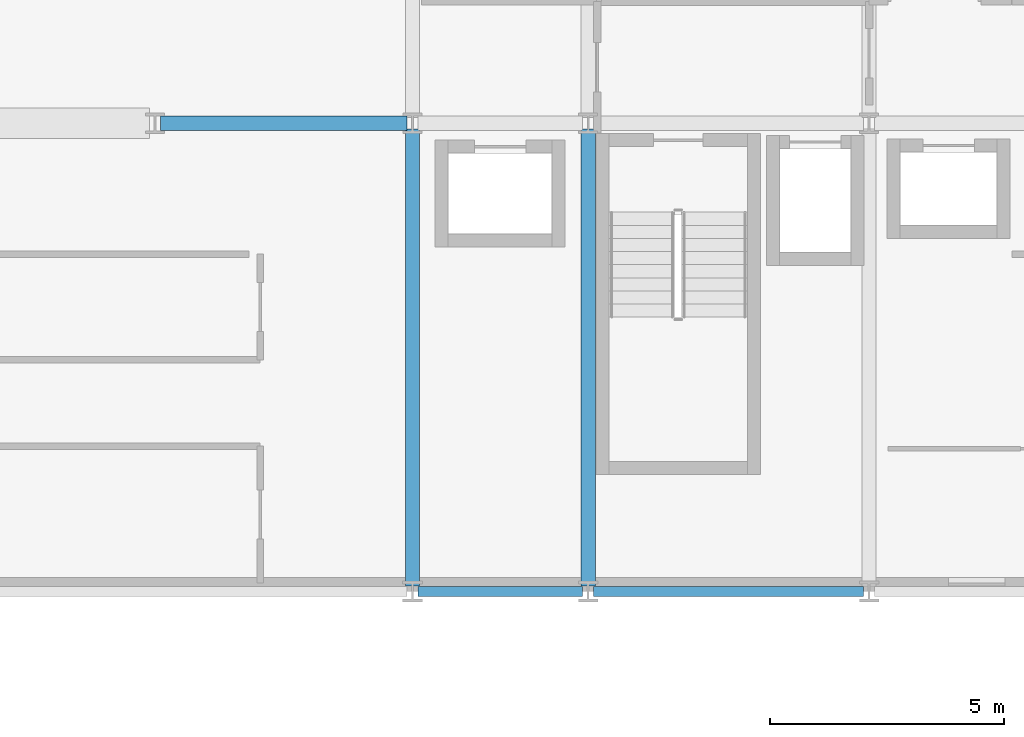
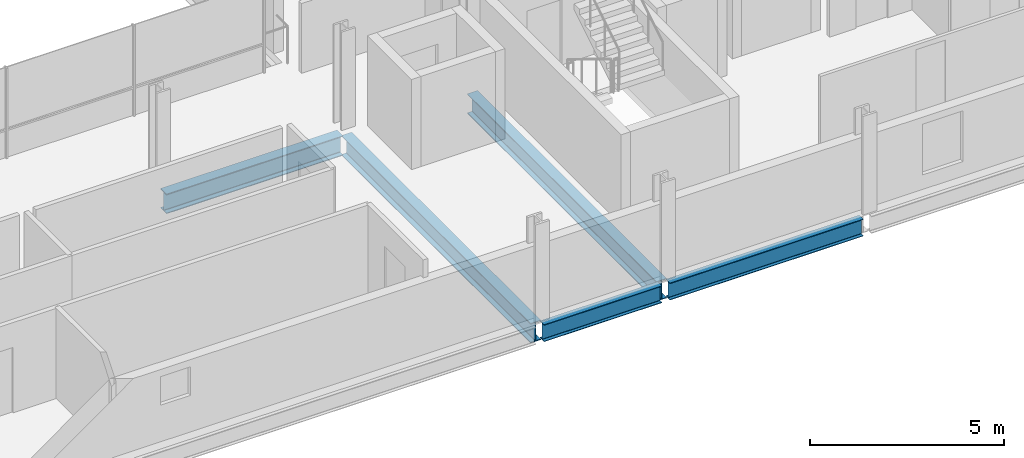
# One storey, part 12 of 41: 5 beams.
"""IFC4 building model written with IfcOpenShell, lengths in metres."""

from ifc_helpers import new_model, si_unit, direction, frame, origin, origin_2d, place, context, subcontext, project, spatial, i_section, extrude, material, material_profile, profile_set, type_object, element, save


model = new_model("IFC4")

# Units and contexts
model_context = context("Model", 3, precision=1e-05, world=origin(), true_north=direction((0.0, 1.0)))
body_context = subcontext(model_context, "Body", "Model", "MODEL_VIEW")
ifc_project = project(units=[si_unit("LENGTHUNIT", "METRE"), si_unit("AREAUNIT", "SQUARE_METRE"), si_unit("VOLUMEUNIT", "CUBIC_METRE"), si_unit("PLANEANGLEUNIT", "RADIAN"), si_unit("MASSUNIT", "GRAM", prefix="KILO")], contexts=[model_context])

# Site, building, storey
site_placement = place(None, origin())
site = spatial("IfcSite", under=ifc_project, at=site_placement, CompositionType="ELEMENT")
building_placement = place(site_placement, origin())
building = spatial("IfcBuilding", under=site, at=building_placement, Name="Brevholm Reach", CompositionType="ELEMENT")
storey_placement = place(building_placement, frame((0.0, 0.0, 93.10009765625)))
storey = spatial("IfcBuildingStorey", under=building, at=storey_placement, Name="L27", CompositionType="ELEMENT", Elevation=93.10009765625)

# Beams
ifc_material_1 = material(Name="Structural Steel S355J2", Category="steel")
ifc_material_profile_1 = material_profile(ifc_material_1, i_section(OverallWidth=0.210693359375, OverallDepth=0.53955078125, WebThickness=0.01171875, FlangeThickness=0.018798828125, FilletRadius=0.0126953125, at=origin_2d()), Name="UKB 533x210x109")
ifc_profile_set_1 = profile_set([ifc_material_profile_1], Name="Structural Steel S355J2")
beam_type_1 = type_object("IfcBeamType", Name="BM-SP539", PredefinedType="SPANDREL", material=ifc_profile_set_1)
beam_1_placement = place(storey_placement, frame((38.3701171875, 0.0, -0.499755859375), z_axis=(1.0, 0.0, 0.0), x_axis=(0.0, 1.0, 0.0)))
element("IfcBeam", 1, at=beam_1_placement, inside=storey, type_object=beam_type_1, Name="L27 SP-01B Framing Beam", PredefinedType="SPANDREL", context=body_context, shape_type="SweptSolid", body=[
    extrude(i_section(OverallWidth=0.210693359375, OverallDepth=0.53955078125, WebThickness=0.01171875, FlangeThickness=0.018798828125, FilletRadius=0.0126953125, at=origin_2d()), origin(), (0.0, 0.0, 1.0), 3.509765625),
])
beam_2_placement = place(storey_placement, frame((42.1201171875, 0.0, -0.499755859375), z_axis=(1.0, 0.0, 0.0), x_axis=(0.0, 1.0, 0.0)))
element("IfcBeam", 2, at=beam_2_placement, inside=storey, type_object=beam_type_1, Name="L27 SP-01B Framing Beam", PredefinedType="SPANDREL", context=body_context, shape_type="SweptSolid", body=[
    extrude(i_section(OverallWidth=0.210693359375, OverallDepth=0.53955078125, WebThickness=0.01171875, FlangeThickness=0.018798828125, FilletRadius=0.0126953125, at=origin_2d()), origin(), (0.0, 0.0, 1.0), 5.759765625),
])
ifc_material_2 = material(Name="Structural Steel S355J2", Category="steel")
ifc_material_profile_2 = material_profile(ifc_material_2, i_section(OverallWidth=0.30712890625, OverallDepth=0.6201171875, WebThickness=0.01416015625, FlangeThickness=0.023681640625, FilletRadius=0.0166015625, at=origin_2d()), Name="UKB 610x305x179")
ifc_profile_set_2 = profile_set([ifc_material_profile_2], Name="Structural Steel S355J2")
beam_type_2 = type_object("IfcBeamType", Name="BM-UKB610H", PredefinedType="USERDEFINED", material=ifc_profile_set_2)
beam_3_placement = place(storey_placement, frame((32.8701171875, 10.0, -0.540283203125), z_axis=(1.0, 0.0, 0.0), x_axis=(0.0, 1.0, 0.0)))
element("IfcBeam", 3, at=beam_3_placement, inside=storey, type_object=beam_type_2, Name="L27 G-06 Framing Beam", ObjectType="GIRDER", PredefinedType="USERDEFINED", context=body_context, shape_type="SweptSolid", body=[
    extrude(i_section(OverallWidth=0.30712890625, OverallDepth=0.6201171875, WebThickness=0.01416015625, FlangeThickness=0.023681640625, FilletRadius=0.0166015625, at=origin_2d()), origin(), (0.0, 0.0, 1.0), 5.259765625),
])
for number, where, z_axis, x_axis, name in (
    (4, (38.25, 0.1201171875, -0.540283203125), (0.0, 1.0, 0.0), (-1.0, 0.0, 0.0), "L27 G-06 Framing Beam"),
    (5, (42.0, 0.1201171875, -0.540283203125), (0.0, 1.0, 0.0), (-1.0, 0.0, 0.0), "L27 G-06 Framing Beam"),
):
    element("IfcBeam", number, at=place(storey_placement, frame(where, z_axis=z_axis, x_axis=x_axis)), inside=storey, type_object=beam_type_2, Name=name, ObjectType="GIRDER", PredefinedType="USERDEFINED", context=body_context, shape_type="SweptSolid", body=[
        extrude(i_section(OverallWidth=0.30712890625, OverallDepth=0.6201171875, WebThickness=0.01416015625, FlangeThickness=0.023681640625, FilletRadius=0.0166015625, at=origin_2d()), origin(), (0.0, 0.0, 1.0), 9.759765625),
    ])

save(model, "model.ifc")
